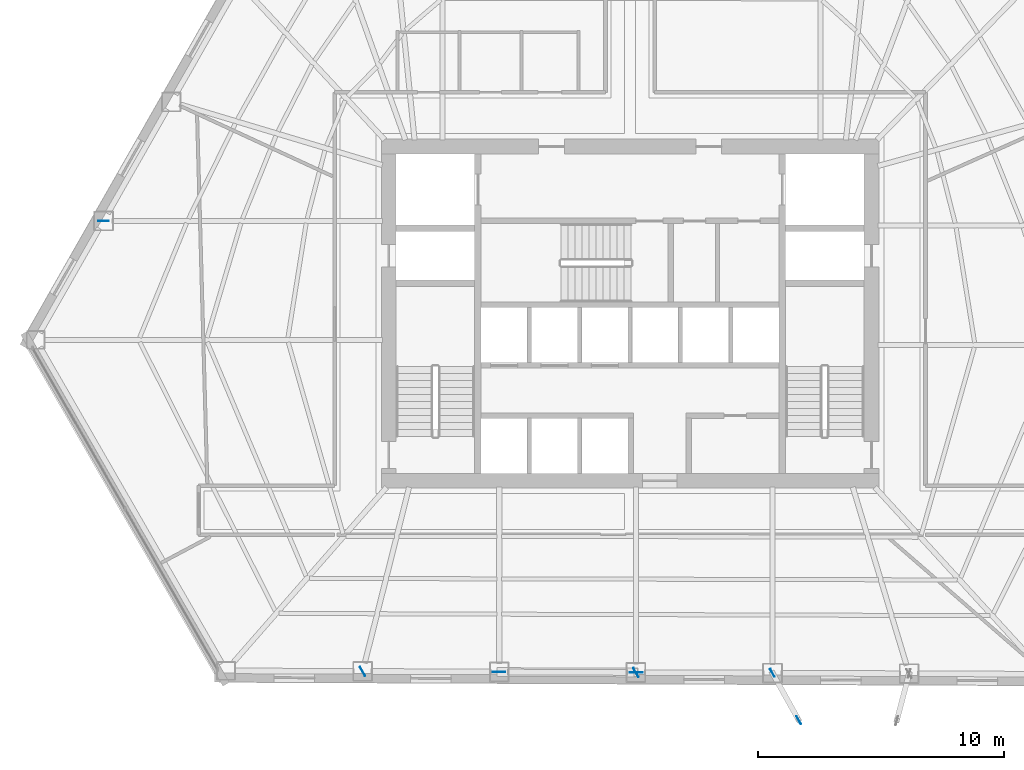
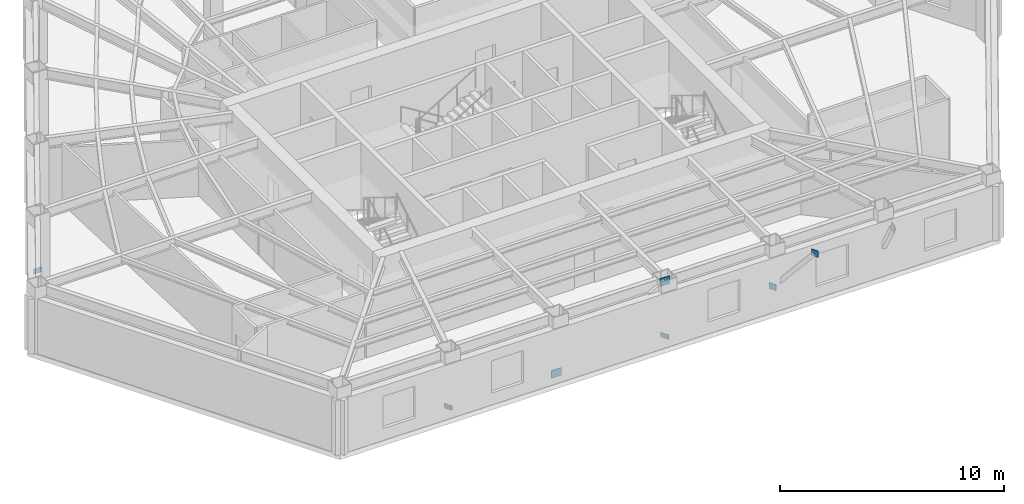
# One storey, part 5 of 13: 7 plates.
"""IFC4 building model written with IfcOpenShell, lengths in metres."""

from ifc_helpers import new_model, si_unit, direction, frame, origin, origin_2d, place, context, subcontext, project, spatial, rectangle, extrude, material, layer, layer_set, type_object, element, save


model = new_model("IFC4")

# Units and contexts
model_context = context("Model", 3, precision=1e-05, world=origin(), true_north=direction((0.0, 1.0)))
body_context = subcontext(model_context, "Body", "Model", "MODEL_VIEW")
ifc_project = project(units=[si_unit("LENGTHUNIT", "METRE"), si_unit("AREAUNIT", "SQUARE_METRE"), si_unit("VOLUMEUNIT", "CUBIC_METRE"), si_unit("PLANEANGLEUNIT", "RADIAN"), si_unit("MASSUNIT", "GRAM", prefix="KILO")], contexts=[model_context])

# Site, building, storey
site_placement = place(None, origin())
site = spatial("IfcSite", under=ifc_project, at=site_placement, CompositionType="ELEMENT")
building_placement = place(site_placement, origin())
building = spatial("IfcBuilding", under=site, at=building_placement, Name="Kavelnor Concourse Tower", CompositionType="ELEMENT")
storey_placement = place(building_placement, frame((0.0, 0.0, 36.800048828125)))
storey = spatial("IfcBuildingStorey", under=building, at=storey_placement, Name="L09", CompositionType="ELEMENT", Elevation=36.800048828125)

# Plates
ifc_material = material(Name="Steel Grade 350", Category="steel")
ifc_layer_1 = layer(ifc_material, 0.028076171875, Name="Steel Grade 350")
ifc_layer_set_1 = layer_set([ifc_layer_1], Name="Steel Grade 350")
plate_type_1 = type_object("IfcPlateType", Name="PL-GUSSET-FOLD", PredefinedType="USERDEFINED", material=ifc_layer_set_1)
for number, where, z_axis, x_axis, name in (
    (1, (43.789794921875, 1.481689453125, 0.8798828125), (0.0, 0.0, 1.0), (0.486487875037, -0.873687328191, 0.0), "L09 Balcony Strut Gusset GP4 1-A End Gusset A"),
    (2, (44.8603515625, -0.441162109375, 3.48486328125), (0.0, 0.0, 1.0), (0.486487875037, -0.873687328191, 0.0), "L09 Balcony Strut Gusset GP4 1-A End Gusset B"),
):
    element("IfcPlate", number, at=place(storey_placement, frame(where, z_axis=z_axis, x_axis=x_axis)), inside=storey, type_object=plate_type_1, Name=name, ObjectType="GUSSET_PLATE", PredefinedType="USERDEFINED", context=body_context, shape_type="SweptSolid", body=[
        extrude(rectangle(XDim=0.360107421875, YDim=0.028076171875, at=origin_2d()), origin(), (0.0, 0.0, 1.0), 0.340087890625),
    ])
ifc_layer_2 = layer(ifc_material, 0.031982421875, Name="Steel Grade 350")
ifc_layer_set_2 = layer_set([ifc_layer_2], Name="Steel Grade 350")
plate_type_2 = type_object("IfcPlateType", Name="PL-GUSSET-TUBE-Z1", PredefinedType="USERDEFINED", material=ifc_layer_set_2)
for number, where, z_axis, x_axis, name in (
    (3, (32.666015625, 1.517333984375, 0.010009765625), (0.0, 0.0, 1.0), (0.999991227031, -0.004188777955, 0.0), "L09 Tube Brace Gusset GP3 F1-B2 End Gusset A"),
    (4, (38.248779296875, 1.494140625, 3.073974609375), (0.0, 0.0, 1.0), (0.999991227031, -0.004188777955, 0.0), "L09 Tube Brace Gusset GP3 F1-B2 End Gusset B"),
):
    element("IfcPlate", number, at=place(storey_placement, frame(where, z_axis=z_axis, x_axis=x_axis)), inside=storey, type_object=plate_type_2, Name=name, ObjectType="GUSSET_PLATE", PredefinedType="USERDEFINED", context=body_context, shape_type="SweptSolid", body=[
        extrude(rectangle(XDim=0.52001953125, YDim=0.031982421875, at=origin_2d()), origin(), (0.0, 0.0, 1.0), 0.419921875),
    ])
ifc_layer_3 = layer(ifc_material, 0.02490234375, Name="Steel Grade 350")
ifc_layer_set_3 = layer_set([ifc_layer_3], Name="Steel Grade 350")
plate_type_3 = type_object("IfcPlateType", Name="PL-SPLICE-FLANGE", PredefinedType="SHEET", material=ifc_layer_set_3)
for number, where, z_axis, x_axis, name in (
    (5, (16.57275390625, 19.8720703125, 0.169921875), (0.0, 0.0, 1.0), (1.0, 0.0, 0.0), "L09 Column Flange Splice Plate F0-B5"),
    (6, (27.119140625, 1.540283203125, 0.169921875), (0.0, 0.0, 1.0), (-0.5, 0.866025403784, 0.0), "L09 Column Flange Splice Plate F1-B1"),
    (7, (38.23681640625, 1.494140625, 0.169921875), (0.0, 0.0, 1.0), (-0.5, 0.866025403784, 0.0), "L09 Column Flange Splice Plate F1-B3"),
):
    element("IfcPlate", number, at=place(storey_placement, frame(where, z_axis=z_axis, x_axis=x_axis)), inside=storey, type_object=plate_type_3, Name=name, PredefinedType="SHEET", context=body_context, shape_type="SweptSolid", body=[
        extrude(rectangle(XDim=0.419921875, YDim=0.02490234375, at=origin_2d()), origin(), (0.0, 0.0, 1.0), 0.260009765625),
    ])

save(model, "model.ifc")
